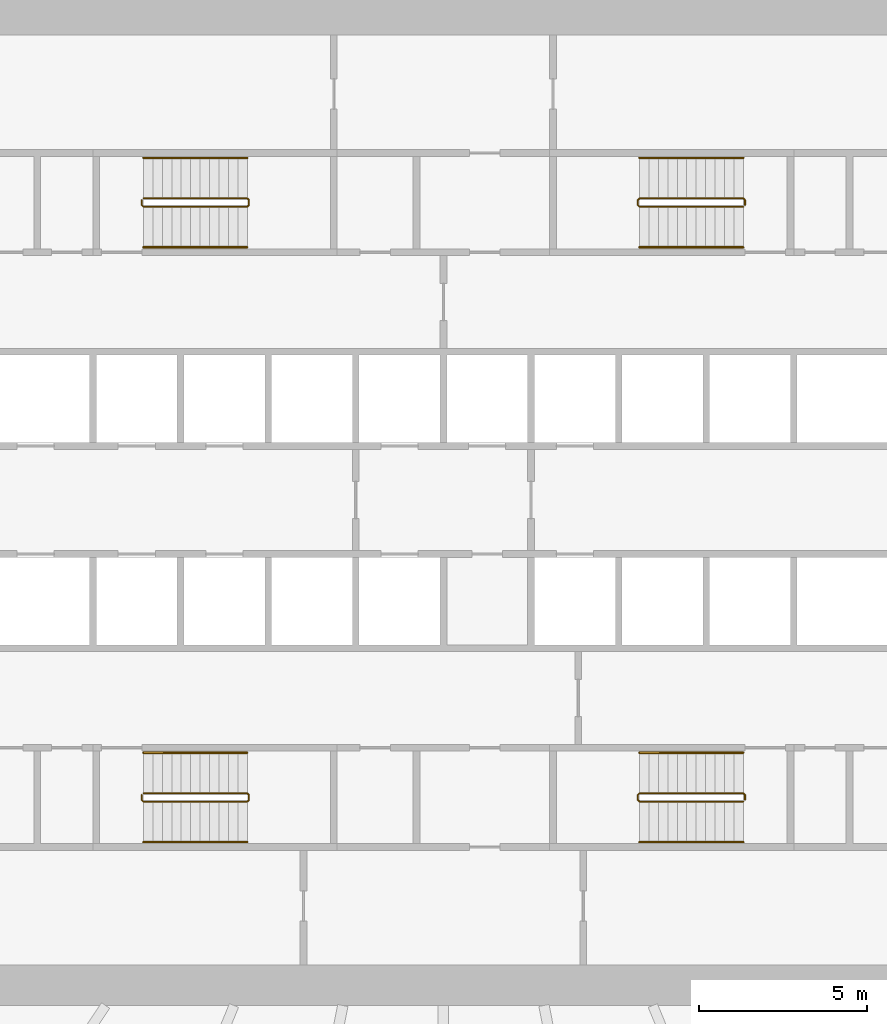
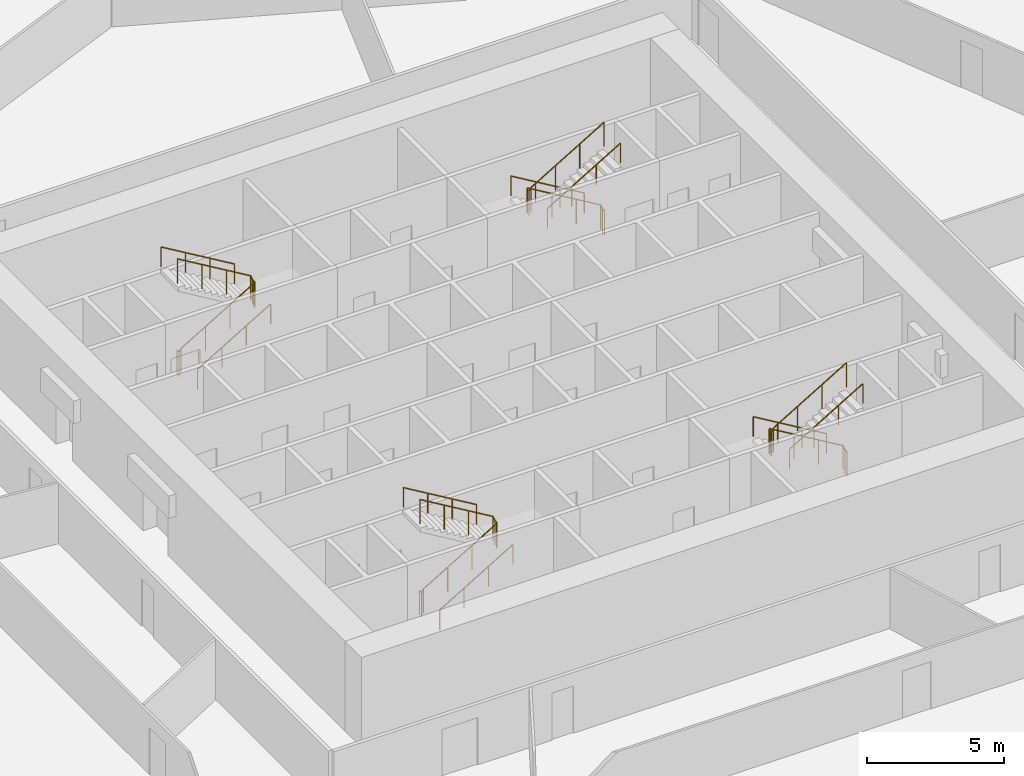
# One storey, part 15 of 15: 12 railings.
"""IFC4 building model written with IfcOpenShell, lengths in metres."""

from ifc_helpers import new_model, si_unit, direction, frame, origin, origin_2d, place, context, subcontext, project, spatial, circle, extrude, material, type_object, element, save


model = new_model("IFC4")

# Units and contexts
model_context = context("Model", 3, precision=1e-05, world=origin(), true_north=direction((0.0, 1.0)))
body_context = subcontext(model_context, "Body", "Model", "MODEL_VIEW")
ifc_project = project(units=[si_unit("LENGTHUNIT", "METRE"), si_unit("AREAUNIT", "SQUARE_METRE"), si_unit("VOLUMEUNIT", "CUBIC_METRE"), si_unit("PLANEANGLEUNIT", "RADIAN"), si_unit("MASSUNIT", "GRAM", prefix="KILO")], contexts=[model_context])

# Site, building, storey
site_placement = place(None, origin())
site = spatial("IfcSite", under=ifc_project, at=site_placement, CompositionType="ELEMENT")
building_placement = place(site_placement, origin())
building = spatial("IfcBuilding", under=site, at=building_placement, Name="Corvane Civic Tower", CompositionType="ELEMENT")
storey_placement = place(building_placement, frame((0.0, 0.0, 61.0)))
storey = spatial("IfcBuildingStorey", under=building, at=storey_placement, Name="L13", CompositionType="ELEMENT", Elevation=61.0)

# Railings
ifc_material_1 = material(Name="Steel ASTM A572 Gr 50", Category="steel")
railing_type_1 = type_object("IfcRailingType", Name="ST-GUARD-1100", PredefinedType="GUARDRAIL", material=ifc_material_1)
railing_1_placement = place(storey_placement, frame((8.949951171875, 8.75, 0.0)))
element("IfcRailing", 1, at=railing_1_placement, inside=storey, type_object=railing_type_1, Name="L13 ST1 stair guard 1", PredefinedType="GUARDRAIL", context=body_context, shape_type="SweptSolid", body=[
    extrude(circle(Radius=0.02392578125, at=origin_2d()), frame((0.0, 0.0, 1.076171875), z_axis=(0.0, 1.0, 0.0), x_axis=(-1.0, 0.0, 0.0)), (0.0, 0.0, 1.0), 0.14990234375),
    extrude(circle(Radius=0.02392578125, at=origin_2d()), frame((0.0, 0.14990234375, 1.076171875), z_axis=(-0.27628659633, 0.27628659633, 0.920506074601), x_axis=(-0.707106781187, -0.707106781187, 0.0)), (0.0, 0.0, 1.0), 0.18115234375),
    extrude(circle(Radius=0.02392578125, at=origin_2d()), frame((-0.050048828125, 0.199951171875, 1.24267578125), z_axis=(-0.859290745958, 0.0, 0.51148745235), x_axis=(0.0, -1.0, 0.0)), (0.0, 0.0, 1.0), 3.584228515625),
    extrude(circle(Radius=0.02392578125, at=origin_2d()), frame((-3.1298828125, 0.199951171875, 3.076171875), z_axis=(-0.707106781187, -0.707106781187, 0.0), x_axis=(0.707106781187, -0.707106781187, 0.0)), (0.0, 0.0, 1.0), 0.07080078125),
    extrude(circle(Radius=0.02392578125, at=origin_2d()), frame((-3.179931640625, 0.14990234375, 3.076171875), z_axis=(0.0, -1.0, 0.0), x_axis=(1.0, 0.0, 0.0)), (0.0, 0.0, 1.0), 0.14990234375),
    extrude(circle(Radius=0.02392578125, at=origin_2d()), frame((-3.179931640625, 0.0, 3.076171875), z_axis=(0.27628659633, -0.27628659633, 0.920506074601), x_axis=(0.707106781187, 0.707106781187, 0.0)), (0.0, 0.0, 1.0), 0.18115234375),
    extrude(circle(Radius=0.02392578125, at=origin_2d()), frame((-3.1298828125, -0.050048828125, 3.24267578125), z_axis=(0.859290745958, 0.0, 0.51148745235), x_axis=(0.0, 1.0, 0.0)), (0.0, 0.0, 1.0), 3.584228515625),
    extrude(circle(Radius=0.02099609375, at=origin_2d()), origin(), (0.0, 0.0, 1.0), 1.052001953125),
    extrude(circle(Radius=0.02099609375, at=origin_2d()), frame((0.0, 0.14990234375, 0.0)), (0.0, 0.0, 1.0), 1.052001953125),
    extrude(circle(Radius=0.02099609375, at=origin_2d()), frame((-0.050048828125, 0.199951171875, 0.166748046875)), (0.0, 0.0, 1.0), 1.052001953125),
    extrude(circle(Radius=0.02099609375, at=origin_2d()), frame((-1.07666015625, 0.199951171875, 0.77783203125)), (0.0, 0.0, 1.0), 1.052001953125),
    extrude(circle(Radius=0.02099609375, at=origin_2d()), frame((-2.103271484375, 0.199951171875, 1.388916015625)), (0.0, 0.0, 1.0), 1.052001953125),
    extrude(circle(Radius=0.02099609375, at=origin_2d()), frame((-3.1298828125, 0.199951171875, 2.0)), (0.0, 0.0, 1.0), 1.052001953125),
    extrude(circle(Radius=0.02099609375, at=origin_2d()), frame((-3.179931640625, 0.14990234375, 2.0)), (0.0, 0.0, 1.0), 1.052001953125),
    extrude(circle(Radius=0.02099609375, at=origin_2d()), frame((-3.179931640625, 0.0, 2.0)), (0.0, 0.0, 1.0), 1.052001953125),
    extrude(circle(Radius=0.02099609375, at=origin_2d()), frame((-3.1298828125, -0.050048828125, 2.166748046875)), (0.0, 0.0, 1.0), 1.052001953125),
    extrude(circle(Radius=0.02099609375, at=origin_2d()), frame((-2.103271484375, -0.050048828125, 2.77783203125)), (0.0, 0.0, 1.0), 1.052001953125),
    extrude(circle(Radius=0.02099609375, at=origin_2d()), frame((-1.07666015625, -0.050048828125, 3.388916015625)), (0.0, 0.0, 1.0), 1.052001953125),
    extrude(circle(Radius=0.02099609375, at=origin_2d()), frame((-0.050048828125, -0.050048828125, 4.0)), (0.0, 0.0, 1.0), 1.052001953125),
])
railing_2_placement = place(storey_placement, frame((8.949951171875, -8.89990234375, 0.0)))
element("IfcRailing", 2, at=railing_2_placement, inside=storey, type_object=railing_type_1, Name="L13 ST2 stair guard 1", PredefinedType="GUARDRAIL", context=body_context, shape_type="SweptSolid", body=[
    extrude(circle(Radius=0.02392578125, at=origin_2d()), frame((0.0, 0.0, 1.076171875), z_axis=(0.0, 1.0, 0.0), x_axis=(-1.0, 0.0, 0.0)), (0.0, 0.0, 1.0), 0.14990234375),
    extrude(circle(Radius=0.02392578125, at=origin_2d()), frame((0.0, 0.14990234375, 1.076171875), z_axis=(-0.27628659633, 0.27628659633, 0.920506074601), x_axis=(-0.707106781187, -0.707106781187, 0.0)), (0.0, 0.0, 1.0), 0.18115234375),
    extrude(circle(Radius=0.02392578125, at=origin_2d()), frame((-0.050048828125, 0.199951171875, 1.24267578125), z_axis=(-0.859290745958, 0.0, 0.51148745235), x_axis=(0.0, -1.0, 0.0)), (0.0, 0.0, 1.0), 3.584228515625),
    extrude(circle(Radius=0.02392578125, at=origin_2d()), frame((-3.1298828125, 0.199951171875, 3.076171875), z_axis=(-0.707106781187, -0.707106781187, 0.0), x_axis=(0.707106781187, -0.707106781187, 0.0)), (0.0, 0.0, 1.0), 0.07080078125),
    extrude(circle(Radius=0.02392578125, at=origin_2d()), frame((-3.179931640625, 0.14990234375, 3.076171875), z_axis=(0.0, -1.0, 0.0), x_axis=(1.0, 0.0, 0.0)), (0.0, 0.0, 1.0), 0.14990234375),
    extrude(circle(Radius=0.02392578125, at=origin_2d()), frame((-3.179931640625, 0.0, 3.076171875), z_axis=(0.27628659633, -0.27628659633, 0.920506074601), x_axis=(0.707106781187, 0.707106781187, 0.0)), (0.0, 0.0, 1.0), 0.18115234375),
    extrude(circle(Radius=0.02392578125, at=origin_2d()), frame((-3.1298828125, -0.050048828125, 3.24267578125), z_axis=(0.859290745958, 0.0, 0.51148745235), x_axis=(0.0, 1.0, 0.0)), (0.0, 0.0, 1.0), 3.584228515625),
    extrude(circle(Radius=0.02099609375, at=origin_2d()), origin(), (0.0, 0.0, 1.0), 1.052001953125),
    extrude(circle(Radius=0.02099609375, at=origin_2d()), frame((0.0, 0.14990234375, 0.0)), (0.0, 0.0, 1.0), 1.052001953125),
    extrude(circle(Radius=0.02099609375, at=origin_2d()), frame((-0.050048828125, 0.199951171875, 0.166748046875)), (0.0, 0.0, 1.0), 1.052001953125),
    extrude(circle(Radius=0.02099609375, at=origin_2d()), frame((-1.07666015625, 0.199951171875, 0.77783203125)), (0.0, 0.0, 1.0), 1.052001953125),
    extrude(circle(Radius=0.02099609375, at=origin_2d()), frame((-2.103271484375, 0.199951171875, 1.388916015625)), (0.0, 0.0, 1.0), 1.052001953125),
    extrude(circle(Radius=0.02099609375, at=origin_2d()), frame((-3.1298828125, 0.199951171875, 2.0)), (0.0, 0.0, 1.0), 1.052001953125),
    extrude(circle(Radius=0.02099609375, at=origin_2d()), frame((-3.179931640625, 0.14990234375, 2.0)), (0.0, 0.0, 1.0), 1.052001953125),
    extrude(circle(Radius=0.02099609375, at=origin_2d()), frame((-3.179931640625, 0.0, 2.0)), (0.0, 0.0, 1.0), 1.052001953125),
    extrude(circle(Radius=0.02099609375, at=origin_2d()), frame((-3.1298828125, -0.050048828125, 2.166748046875)), (0.0, 0.0, 1.0), 1.052001953125),
    extrude(circle(Radius=0.02099609375, at=origin_2d()), frame((-2.103271484375, -0.050048828125, 2.77783203125)), (0.0, 0.0, 1.0), 1.052001953125),
    extrude(circle(Radius=0.02099609375, at=origin_2d()), frame((-1.07666015625, -0.050048828125, 3.388916015625)), (0.0, 0.0, 1.0), 1.052001953125),
    extrude(circle(Radius=0.02099609375, at=origin_2d()), frame((-0.050048828125, -0.050048828125, 4.0)), (0.0, 0.0, 1.0), 1.052001953125),
])
railing_3_placement = place(storey_placement, frame((-8.949951171875, -8.75, 0.0)))
element("IfcRailing", 3, at=railing_3_placement, inside=storey, type_object=railing_type_1, Name="L13 ST3 stair guard 1", PredefinedType="GUARDRAIL", context=body_context, shape_type="SweptSolid", body=[
    extrude(circle(Radius=0.02392578125, at=origin_2d()), frame((0.0, 0.0, 1.076171875), z_axis=(0.0, -1.0, 0.0), x_axis=(1.0, 0.0, 0.0)), (0.0, 0.0, 1.0), 0.14990234375),
    extrude(circle(Radius=0.02392578125, at=origin_2d()), frame((0.0, -0.14990234375, 1.076171875), z_axis=(0.27628659633, -0.27628659633, 0.920506074601), x_axis=(0.707106781187, 0.707106781187, 0.0)), (0.0, 0.0, 1.0), 0.18115234375),
    extrude(circle(Radius=0.02392578125, at=origin_2d()), frame((0.050048828125, -0.199951171875, 1.24267578125), z_axis=(0.859290745958, 0.0, 0.51148745235), x_axis=(0.0, 1.0, 0.0)), (0.0, 0.0, 1.0), 3.584228515625),
    extrude(circle(Radius=0.02392578125, at=origin_2d()), frame((3.1298828125, -0.199951171875, 3.076171875), z_axis=(0.707106781187, 0.707106781187, 0.0), x_axis=(-0.707106781187, 0.707106781187, 0.0)), (0.0, 0.0, 1.0), 0.07080078125),
    extrude(circle(Radius=0.02392578125, at=origin_2d()), frame((3.179931640625, -0.14990234375, 3.076171875), z_axis=(0.0, 1.0, 0.0), x_axis=(-1.0, 0.0, 0.0)), (0.0, 0.0, 1.0), 0.14990234375),
    extrude(circle(Radius=0.02392578125, at=origin_2d()), frame((3.179931640625, 0.0, 3.076171875), z_axis=(-0.27628659633, 0.27628659633, 0.920506074601), x_axis=(-0.707106781187, -0.707106781187, 0.0)), (0.0, 0.0, 1.0), 0.18115234375),
    extrude(circle(Radius=0.02392578125, at=origin_2d()), frame((3.1298828125, 0.050048828125, 3.24267578125), z_axis=(-0.859290745958, 0.0, 0.51148745235), x_axis=(0.0, -1.0, 0.0)), (0.0, 0.0, 1.0), 3.584228515625),
    extrude(circle(Radius=0.02099609375, at=origin_2d()), origin(), (0.0, 0.0, 1.0), 1.052001953125),
    extrude(circle(Radius=0.02099609375, at=origin_2d()), frame((0.0, -0.14990234375, 0.0)), (0.0, 0.0, 1.0), 1.052001953125),
    extrude(circle(Radius=0.02099609375, at=origin_2d()), frame((0.050048828125, -0.199951171875, 0.166748046875)), (0.0, 0.0, 1.0), 1.052001953125),
    extrude(circle(Radius=0.02099609375, at=origin_2d()), frame((1.07666015625, -0.199951171875, 0.77783203125)), (0.0, 0.0, 1.0), 1.052001953125),
    extrude(circle(Radius=0.02099609375, at=origin_2d()), frame((2.103271484375, -0.199951171875, 1.388916015625)), (0.0, 0.0, 1.0), 1.052001953125),
    extrude(circle(Radius=0.02099609375, at=origin_2d()), frame((3.1298828125, -0.199951171875, 2.0)), (0.0, 0.0, 1.0), 1.052001953125),
    extrude(circle(Radius=0.02099609375, at=origin_2d()), frame((3.179931640625, -0.14990234375, 2.0)), (0.0, 0.0, 1.0), 1.052001953125),
    extrude(circle(Radius=0.02099609375, at=origin_2d()), frame((3.179931640625, 0.0, 2.0)), (0.0, 0.0, 1.0), 1.052001953125),
    extrude(circle(Radius=0.02099609375, at=origin_2d()), frame((3.1298828125, 0.050048828125, 2.166748046875)), (0.0, 0.0, 1.0), 1.052001953125),
    extrude(circle(Radius=0.02099609375, at=origin_2d()), frame((2.103271484375, 0.050048828125, 2.77783203125)), (0.0, 0.0, 1.0), 1.052001953125),
    extrude(circle(Radius=0.02099609375, at=origin_2d()), frame((1.07666015625, 0.050048828125, 3.388916015625)), (0.0, 0.0, 1.0), 1.052001953125),
    extrude(circle(Radius=0.02099609375, at=origin_2d()), frame((0.050048828125, 0.050048828125, 4.0)), (0.0, 0.0, 1.0), 1.052001953125),
])
railing_4_placement = place(storey_placement, frame((-8.949951171875, 8.89990234375, 0.0)))
element("IfcRailing", 4, at=railing_4_placement, inside=storey, type_object=railing_type_1, Name="L13 ST4 stair guard 1", PredefinedType="GUARDRAIL", context=body_context, shape_type="SweptSolid", body=[
    extrude(circle(Radius=0.02392578125, at=origin_2d()), frame((0.0, 0.0, 1.076171875), z_axis=(0.0, -1.0, 0.0), x_axis=(1.0, 0.0, 0.0)), (0.0, 0.0, 1.0), 0.14990234375),
    extrude(circle(Radius=0.02392578125, at=origin_2d()), frame((0.0, -0.14990234375, 1.076171875), z_axis=(0.27628659633, -0.27628659633, 0.920506074601), x_axis=(0.707106781187, 0.707106781187, 0.0)), (0.0, 0.0, 1.0), 0.18115234375),
    extrude(circle(Radius=0.02392578125, at=origin_2d()), frame((0.050048828125, -0.199951171875, 1.24267578125), z_axis=(0.859290745958, 0.0, 0.51148745235), x_axis=(0.0, 1.0, 0.0)), (0.0, 0.0, 1.0), 3.584228515625),
    extrude(circle(Radius=0.02392578125, at=origin_2d()), frame((3.1298828125, -0.199951171875, 3.076171875), z_axis=(0.707106781187, 0.707106781187, 0.0), x_axis=(-0.707106781187, 0.707106781187, 0.0)), (0.0, 0.0, 1.0), 0.07080078125),
    extrude(circle(Radius=0.02392578125, at=origin_2d()), frame((3.179931640625, -0.14990234375, 3.076171875), z_axis=(0.0, 1.0, 0.0), x_axis=(-1.0, 0.0, 0.0)), (0.0, 0.0, 1.0), 0.14990234375),
    extrude(circle(Radius=0.02392578125, at=origin_2d()), frame((3.179931640625, 0.0, 3.076171875), z_axis=(-0.27628659633, 0.27628659633, 0.920506074601), x_axis=(-0.707106781187, -0.707106781187, 0.0)), (0.0, 0.0, 1.0), 0.18115234375),
    extrude(circle(Radius=0.02392578125, at=origin_2d()), frame((3.1298828125, 0.050048828125, 3.24267578125), z_axis=(-0.859290745958, 0.0, 0.51148745235), x_axis=(0.0, -1.0, 0.0)), (0.0, 0.0, 1.0), 3.584228515625),
    extrude(circle(Radius=0.02099609375, at=origin_2d()), origin(), (0.0, 0.0, 1.0), 1.052001953125),
    extrude(circle(Radius=0.02099609375, at=origin_2d()), frame((0.0, -0.14990234375, 0.0)), (0.0, 0.0, 1.0), 1.052001953125),
    extrude(circle(Radius=0.02099609375, at=origin_2d()), frame((0.050048828125, -0.199951171875, 0.166748046875)), (0.0, 0.0, 1.0), 1.052001953125),
    extrude(circle(Radius=0.02099609375, at=origin_2d()), frame((1.07666015625, -0.199951171875, 0.77783203125)), (0.0, 0.0, 1.0), 1.052001953125),
    extrude(circle(Radius=0.02099609375, at=origin_2d()), frame((2.103271484375, -0.199951171875, 1.388916015625)), (0.0, 0.0, 1.0), 1.052001953125),
    extrude(circle(Radius=0.02099609375, at=origin_2d()), frame((3.1298828125, -0.199951171875, 2.0)), (0.0, 0.0, 1.0), 1.052001953125),
    extrude(circle(Radius=0.02099609375, at=origin_2d()), frame((3.179931640625, -0.14990234375, 2.0)), (0.0, 0.0, 1.0), 1.052001953125),
    extrude(circle(Radius=0.02099609375, at=origin_2d()), frame((3.179931640625, 0.0, 2.0)), (0.0, 0.0, 1.0), 1.052001953125),
    extrude(circle(Radius=0.02099609375, at=origin_2d()), frame((3.1298828125, 0.050048828125, 2.166748046875)), (0.0, 0.0, 1.0), 1.052001953125),
    extrude(circle(Radius=0.02099609375, at=origin_2d()), frame((2.103271484375, 0.050048828125, 2.77783203125)), (0.0, 0.0, 1.0), 1.052001953125),
    extrude(circle(Radius=0.02099609375, at=origin_2d()), frame((1.07666015625, 0.050048828125, 3.388916015625)), (0.0, 0.0, 1.0), 1.052001953125),
    extrude(circle(Radius=0.02099609375, at=origin_2d()), frame((0.050048828125, 0.050048828125, 4.0)), (0.0, 0.0, 1.0), 1.052001953125),
])
ifc_material_2 = material(Name="Steel ASTM A572 Gr 50", Category="steel")
railing_type_2 = type_object("IfcRailingType", Name="ST-HANDRAIL-900", PredefinedType="HANDRAIL", material=ifc_material_2)
railing_5_placement = place(storey_placement, frame((8.89990234375, 10.14990234375, 0.166748046875)))
element("IfcRailing", 5, at=railing_5_placement, inside=storey, type_object=railing_type_2, Name="L13 ST1 stair handrail 1", PredefinedType="HANDRAIL", context=body_context, shape_type="SweptSolid", body=[
    extrude(circle(Radius=0.02392578125, at=origin_2d()), frame((0.0, 0.0, 0.8759765625), z_axis=(-0.859290745958, 0.0, 0.51148745235), x_axis=(0.0, -1.0, 0.0)), (0.0, 0.0, 1.0), 3.584228515625),
    extrude(circle(Radius=0.02099609375, at=origin_2d()), origin(), (0.0, 0.0, 1.0), 0.851806640625),
    extrude(circle(Radius=0.02099609375, at=origin_2d()), frame((-1.026611328125, 0.0, 0.611083984375)), (0.0, 0.0, 1.0), 0.851806640625),
    extrude(circle(Radius=0.02099609375, at=origin_2d()), frame((-2.05322265625, 0.0, 1.22216796875)), (0.0, 0.0, 1.0), 0.851806640625),
    extrude(circle(Radius=0.02099609375, at=origin_2d()), frame((-3.079833984375, 0.0, 1.833251953125)), (0.0, 0.0, 1.0), 0.851806640625),
])
railing_6_placement = place(storey_placement, frame((5.820068359375, 7.5, 2.166748046875)))
element("IfcRailing", 6, at=railing_6_placement, inside=storey, type_object=railing_type_2, Name="L13 ST1 stair handrail 2", PredefinedType="HANDRAIL", context=body_context, shape_type="SweptSolid", body=[
    extrude(circle(Radius=0.02392578125, at=origin_2d()), frame((0.0, 0.0, 0.8759765625), z_axis=(0.859290745958, 0.0, 0.51148745235), x_axis=(0.0, 1.0, 0.0)), (0.0, 0.0, 1.0), 3.584228515625),
    extrude(circle(Radius=0.02099609375, at=origin_2d()), origin(), (0.0, 0.0, 1.0), 0.851806640625),
    extrude(circle(Radius=0.02099609375, at=origin_2d()), frame((1.026611328125, 0.0, 0.611083984375)), (0.0, 0.0, 1.0), 0.851806640625),
    extrude(circle(Radius=0.02099609375, at=origin_2d()), frame((2.05322265625, 0.0, 1.22216796875)), (0.0, 0.0, 1.0), 0.851806640625),
    extrude(circle(Radius=0.02099609375, at=origin_2d()), frame((3.079833984375, 0.0, 1.833251953125)), (0.0, 0.0, 1.0), 0.851806640625),
])
railing_7_placement = place(storey_placement, frame((8.89990234375, -7.5, 0.166748046875)))
element("IfcRailing", 7, at=railing_7_placement, inside=storey, type_object=railing_type_2, Name="L13 ST2 stair handrail 1", PredefinedType="HANDRAIL", context=body_context, shape_type="SweptSolid", body=[
    extrude(circle(Radius=0.02392578125, at=origin_2d()), frame((0.0, 0.0, 0.8759765625), z_axis=(-0.859290745958, 0.0, 0.51148745235), x_axis=(0.0, -1.0, 0.0)), (0.0, 0.0, 1.0), 3.584228515625),
    extrude(circle(Radius=0.02099609375, at=origin_2d()), origin(), (0.0, 0.0, 1.0), 0.851806640625),
    extrude(circle(Radius=0.02099609375, at=origin_2d()), frame((-1.026611328125, 0.0, 0.611083984375)), (0.0, 0.0, 1.0), 0.851806640625),
    extrude(circle(Radius=0.02099609375, at=origin_2d()), frame((-2.05322265625, 0.0, 1.22216796875)), (0.0, 0.0, 1.0), 0.851806640625),
    extrude(circle(Radius=0.02099609375, at=origin_2d()), frame((-3.079833984375, 0.0, 1.833251953125)), (0.0, 0.0, 1.0), 0.851806640625),
])
for number, where, name in (
    (8, (5.820068359375, -10.14990234375, 2.166748046875), "L13 ST2 stair handrail 2"),
    (9, (-8.89990234375, -10.14990234375, 0.166748046875), "L13 ST3 stair handrail 1"),
):
    element("IfcRailing", number, at=place(storey_placement, frame(where)), inside=storey, type_object=railing_type_2, Name=name, PredefinedType="HANDRAIL", context=body_context, shape_type="SweptSolid", body=[
        extrude(circle(Radius=0.02392578125, at=origin_2d()), frame((0.0, 0.0, 0.8759765625), z_axis=(0.859290745958, 0.0, 0.51148745235), x_axis=(0.0, 1.0, 0.0)), (0.0, 0.0, 1.0), 3.584228515625),
        extrude(circle(Radius=0.02099609375, at=origin_2d()), origin(), (0.0, 0.0, 1.0), 0.851806640625),
        extrude(circle(Radius=0.02099609375, at=origin_2d()), frame((1.026611328125, 0.0, 0.611083984375)), (0.0, 0.0, 1.0), 0.851806640625),
        extrude(circle(Radius=0.02099609375, at=origin_2d()), frame((2.05322265625, 0.0, 1.22216796875)), (0.0, 0.0, 1.0), 0.851806640625),
        extrude(circle(Radius=0.02099609375, at=origin_2d()), frame((3.079833984375, 0.0, 1.833251953125)), (0.0, 0.0, 1.0), 0.851806640625),
    ])
railing_8_placement = place(storey_placement, frame((-5.820068359375, -7.5, 2.166748046875)))
element("IfcRailing", 10, at=railing_8_placement, inside=storey, type_object=railing_type_2, Name="L13 ST3 stair handrail 2", PredefinedType="HANDRAIL", context=body_context, shape_type="SweptSolid", body=[
    extrude(circle(Radius=0.02392578125, at=origin_2d()), frame((0.0, 0.0, 0.8759765625), z_axis=(-0.859290745958, 0.0, 0.51148745235), x_axis=(0.0, -1.0, 0.0)), (0.0, 0.0, 1.0), 3.584228515625),
    extrude(circle(Radius=0.02099609375, at=origin_2d()), origin(), (0.0, 0.0, 1.0), 0.851806640625),
    extrude(circle(Radius=0.02099609375, at=origin_2d()), frame((-1.026611328125, 0.0, 0.611083984375)), (0.0, 0.0, 1.0), 0.851806640625),
    extrude(circle(Radius=0.02099609375, at=origin_2d()), frame((-2.05322265625, 0.0, 1.22216796875)), (0.0, 0.0, 1.0), 0.851806640625),
    extrude(circle(Radius=0.02099609375, at=origin_2d()), frame((-3.079833984375, 0.0, 1.833251953125)), (0.0, 0.0, 1.0), 0.851806640625),
])
railing_9_placement = place(storey_placement, frame((-8.89990234375, 7.5, 0.166748046875)))
element("IfcRailing", 11, at=railing_9_placement, inside=storey, type_object=railing_type_2, Name="L13 ST4 stair handrail 1", PredefinedType="HANDRAIL", context=body_context, shape_type="SweptSolid", body=[
    extrude(circle(Radius=0.02392578125, at=origin_2d()), frame((0.0, 0.0, 0.8759765625), z_axis=(0.859290745958, 0.0, 0.51148745235), x_axis=(0.0, 1.0, 0.0)), (0.0, 0.0, 1.0), 3.584228515625),
    extrude(circle(Radius=0.02099609375, at=origin_2d()), origin(), (0.0, 0.0, 1.0), 0.851806640625),
    extrude(circle(Radius=0.02099609375, at=origin_2d()), frame((1.026611328125, 0.0, 0.611083984375)), (0.0, 0.0, 1.0), 0.851806640625),
    extrude(circle(Radius=0.02099609375, at=origin_2d()), frame((2.05322265625, 0.0, 1.22216796875)), (0.0, 0.0, 1.0), 0.851806640625),
    extrude(circle(Radius=0.02099609375, at=origin_2d()), frame((3.079833984375, 0.0, 1.833251953125)), (0.0, 0.0, 1.0), 0.851806640625),
])
railing_10_placement = place(storey_placement, frame((-5.820068359375, 10.14990234375, 2.166748046875)))
element("IfcRailing", 12, at=railing_10_placement, inside=storey, type_object=railing_type_2, Name="L13 ST4 stair handrail 2", PredefinedType="HANDRAIL", context=body_context, shape_type="SweptSolid", body=[
    extrude(circle(Radius=0.02392578125, at=origin_2d()), frame((0.0, 0.0, 0.8759765625), z_axis=(-0.859290745958, 0.0, 0.51148745235), x_axis=(0.0, -1.0, 0.0)), (0.0, 0.0, 1.0), 3.584228515625),
    extrude(circle(Radius=0.02099609375, at=origin_2d()), origin(), (0.0, 0.0, 1.0), 0.851806640625),
    extrude(circle(Radius=0.02099609375, at=origin_2d()), frame((-1.026611328125, 0.0, 0.611083984375)), (0.0, 0.0, 1.0), 0.851806640625),
    extrude(circle(Radius=0.02099609375, at=origin_2d()), frame((-2.05322265625, 0.0, 1.22216796875)), (0.0, 0.0, 1.0), 0.851806640625),
    extrude(circle(Radius=0.02099609375, at=origin_2d()), frame((-3.079833984375, 0.0, 1.833251953125)), (0.0, 0.0, 1.0), 0.851806640625),
])

save(model, "model.ifc")
